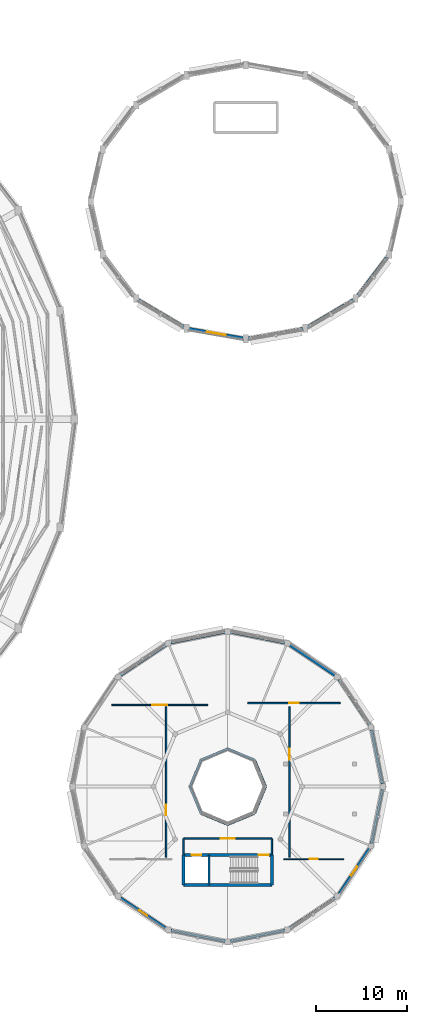
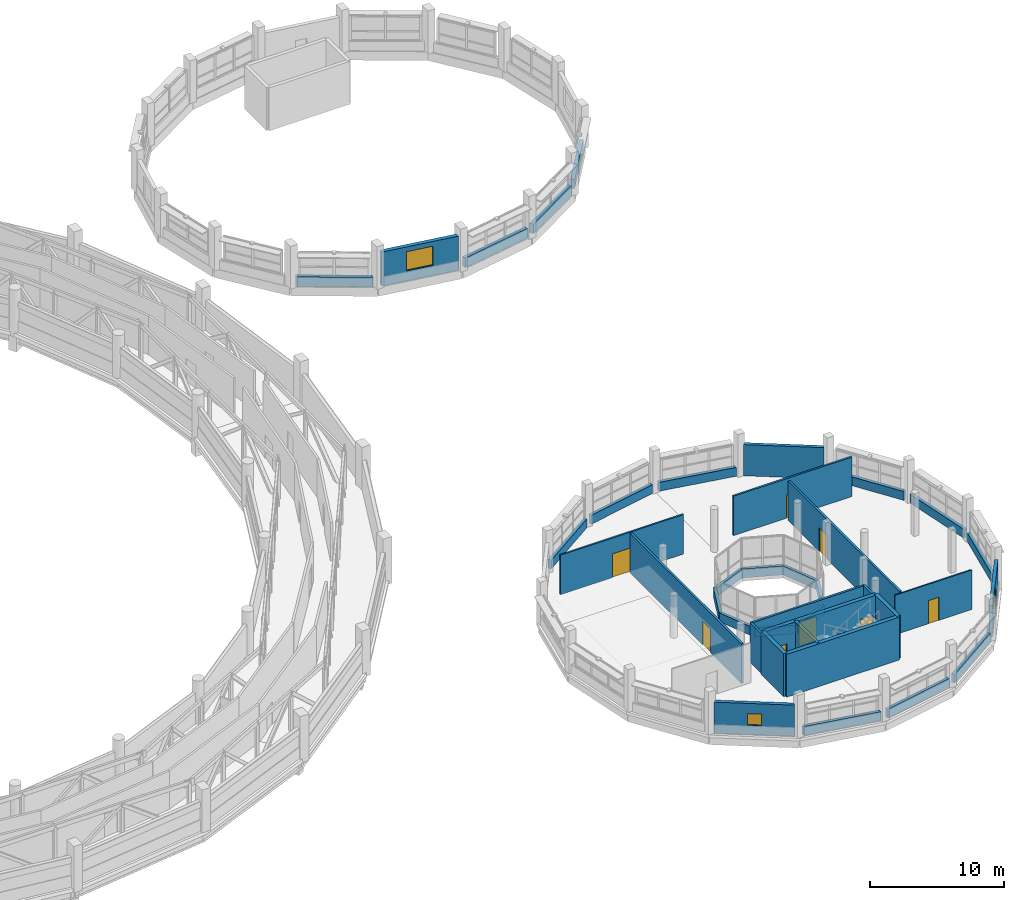
# One storey, part 106 of 121: 38 walls, 8 doors, 3 windows, 11 openings.
"""IFC4 building model written with IfcOpenShell, lengths in metres."""

from ifc_helpers import new_model, si_unit, direction, frame, frame_2d, origin, place, context, subcontext, project, spatial, rectangle, extrude, material, layer, layer_set, type_object, element, fill, save


model = new_model("IFC4")

# Units and contexts
model_context = context("Model", 3, precision=1e-05, world=origin(), true_north=direction((0.0, 1.0)))
body_context = subcontext(model_context, "Body", "Model", "MODEL_VIEW")
ifc_project = project(units=[si_unit("LENGTHUNIT", "METRE"), si_unit("AREAUNIT", "SQUARE_METRE"), si_unit("VOLUMEUNIT", "CUBIC_METRE"), si_unit("PLANEANGLEUNIT", "RADIAN"), si_unit("MASSUNIT", "GRAM", prefix="KILO")], contexts=[model_context])

# Site, building, storey
site_placement = place(None, origin())
site = spatial("IfcSite", under=ifc_project, at=site_placement, CompositionType="ELEMENT")
building_placement = place(site_placement, origin())
building = spatial("IfcBuilding", under=site, at=building_placement, Name="Vespera Passage Community Centre", CompositionType="ELEMENT")
storey_placement = place(building_placement, frame((0.0, 0.0, 8.699951171875)))
storey = spatial("IfcBuildingStorey", under=building, at=storey_placement, Name="L02", CompositionType="ELEMENT", Elevation=8.699951171875)

# Wall, openings, doors
ifc_material_1 = material(Name="Concrete f'c 45 MPa", Category="concrete")
ifc_layer_1 = layer(ifc_material_1, 0.340087890625)
ifc_layer_set_1 = layer_set([ifc_layer_1], Name="Concrete f'c 45 MPa")
wall_type_1 = type_object("IfcWallType", Name="WT-CORE-340I", PredefinedType="SHEAR", material=ifc_layer_set_1)
wall_1_placement = place(storey_placement, frame((136.135009765625, 17.469970703125, 0.0), z_axis=(0.0, 0.0, 1.0), x_axis=(1.0, 0.0, 0.0)))
wall_1 = element("IfcWall", 1, at=wall_1_placement, inside=storey, type_object=wall_type_1, Name="Core C7 L02 Shear Wall FRONT", PredefinedType="SHEAR", context=body_context, shape_type="SweptSolid", body=[
    extrude(rectangle(XDim=9.72998046875, YDim=0.340087890625, at=frame_2d((4.864990234375, 0.0))), origin(), (0.0, 0.0, 1.0), 3.900146484375),
])
opening_1_placement = place(wall_1_placement, frame((8.264892578125, 0.0, 0.0)))
opening_1 = element("IfcOpeningElement", 2, at=opening_1_placement, cuts=wall_1, Name="Opening DT-STAIR-90", PredefinedType="OPENING", context=body_context, shape_type="SweptSolid", body=[
    extrude(rectangle(XDim=1.14990234375, YDim=2.14990234375, at=frame_2d((0.574951171875, 1.074951171875))), frame((0.0, 0.179931640625, 0.0), z_axis=(0.0, -1.0, 0.0), x_axis=(1.0, 0.0, 0.0)), (0.0, 0.0, 1.0), 0.360107421875),
])
opening_2_placement = place(wall_1_placement, frame((0.8701171875, 0.0, 0.0)))
opening_2 = element("IfcOpeningElement", 3, at=opening_2_placement, cuts=wall_1, Name="Opening DT-LIFT-110", PredefinedType="OPENING", context=body_context, shape_type="SweptSolid", body=[
    extrude(rectangle(XDim=1.10009765625, YDim=2.14990234375, at=frame_2d((0.550048828125, 1.074951171875))), frame((0.0, 0.179931640625, 0.0), z_axis=(0.0, -1.0, 0.0), x_axis=(1.0, 0.0, 0.0)), (0.0, 0.0, 1.0), 0.360107421875),
])
ifc_material_2 = material(Name="Painted hollow-metal acoustic door", Category="steel")
door_type_1 = type_object("IfcDoorType", Name="DT-LIFT-110", OperationType="NOTDEFINED", PredefinedType="DOOR", material=ifc_material_2)
door_1_placement = place(opening_2_placement, origin())
door_1 = element("IfcDoor", 4, at=door_1_placement, inside=storey, type_object=door_type_1, Name="Elevator EL-05 L02 Landing Door LD-029", OperationType="SLIDING_TO_LEFT", OverallHeight=2.14990234375, OverallWidth=1.10009765625, PredefinedType="DOOR", context=body_context, shape_type="SweptSolid", body=[
    extrude(rectangle(XDim=1.10009765625, YDim=2.14990234375, at=frame_2d((0.550048828125, 1.074951171875))), frame((0.0, 0.02490234375, 0.0), z_axis=(0.0, -1.0, 0.0), x_axis=(1.0, 0.0, 0.0)), (0.0, 0.0, 1.0), 0.050048828125),
])
fill(opening_2, door_1)
ifc_material_3 = material(Name="Painted hollow-metal acoustic door", Category="steel")
door_type_2 = type_object("IfcDoorType", Name="DT-STAIR-90", OperationType="NOTDEFINED", PredefinedType="DOOR", material=ifc_material_3)
door_2_placement = place(opening_1_placement, origin())
door_2 = element("IfcDoor", 5, at=door_2_placement, inside=storey, type_object=door_type_2, Name="Core C7 L02 Exit Stair Door D-115", OperationType="SINGLE_SWING_LEFT", OverallHeight=2.14990234375, OverallWidth=1.14990234375, PredefinedType="DOOR", context=body_context, shape_type="SweptSolid", body=[
    extrude(rectangle(XDim=1.14990234375, YDim=2.14990234375, at=frame_2d((0.574951171875, 1.074951171875))), frame((0.0, 0.02490234375, 0.0), z_axis=(0.0, -1.0, 0.0), x_axis=(1.0, 0.0, 0.0)), (0.0, 0.0, 1.0), 0.050048828125),
])
fill(opening_1, door_2)

# Walls
wall_2_placement = place(storey_placement, frame((145.864990234375, 17.469970703125, 0.0), z_axis=(0.0, 0.0, 1.0), x_axis=(0.0, -1.0, 0.0)))
element("IfcWall", 6, at=wall_2_placement, inside=storey, type_object=wall_type_1, Name="Core C7 L02 Shear Wall LEFT", PredefinedType="SHEAR", context=body_context, shape_type="SweptSolid", body=[
    extrude(rectangle(XDim=3.340087890625, YDim=0.340087890625, at=frame_2d((1.669921875, 0.0))), origin(), (0.0, 0.0, 1.0), 3.900146484375),
])
wall_3_placement = place(storey_placement, frame((145.864990234375, 14.1298828125, 0.0), z_axis=(0.0, 0.0, 1.0), x_axis=(-1.0, 0.0, 0.0)))
element("IfcWall", 7, at=wall_3_placement, inside=storey, type_object=wall_type_1, Name="Core C7 L02 Shear Wall BACK", PredefinedType="SHEAR", context=body_context, shape_type="SweptSolid", body=[
    extrude(rectangle(XDim=9.72998046875, YDim=0.340087890625, at=frame_2d((4.864990234375, 0.0))), origin(), (0.0, 0.0, 1.0), 3.900146484375),
])
wall_4_placement = place(storey_placement, frame((136.135009765625, 14.1298828125, 0.0), z_axis=(0.0, 0.0, 1.0), x_axis=(0.0, 1.0, 0.0)))
element("IfcWall", 8, at=wall_4_placement, inside=storey, type_object=wall_type_1, Name="Core C7 L02 Shear Wall RIGHT", PredefinedType="SHEAR", context=body_context, shape_type="SweptSolid", body=[
    extrude(rectangle(XDim=3.340087890625, YDim=0.340087890625, at=frame_2d((1.669921875, 0.0))), origin(), (0.0, 0.0, 1.0), 3.900146484375),
])

# Wall, opening, door
ifc_material_4 = material(Name="Gypsum board acoustic stud partition")
ifc_layer_2 = layer(ifc_material_4, 0.179931640625)
ifc_layer_set_2 = layer_set([ifc_layer_2], Name="Gypsum board acoustic stud partition")
wall_type_2 = type_object("IfcWallType", Name="WT-CORR-180I", PredefinedType="PARTITIONING", material=ifc_layer_set_2)
wall_5_placement = place(storey_placement, frame((145.864990234375, 19.27001953125, 0.0), z_axis=(0.0, 0.0, 1.0), x_axis=(-1.0, 0.0, 0.0)))
wall_5 = element("IfcWall", 9, at=wall_5_placement, inside=storey, type_object=wall_type_2, Name="Core C7 L02 Lift Lobby Front Wall", PredefinedType="PARTITIONING", context=body_context, shape_type="SweptSolid", body=[
    extrude(rectangle(XDim=9.72998046875, YDim=0.179931640625, at=frame_2d((4.864990234375, 0.0))), origin(), (0.0, 0.0, 1.0), 3.594970703125),
])
opening_3_placement = place(wall_5_placement, frame((4.114990234375, 0.0, 0.0)))
opening_3 = element("IfcOpeningElement", 10, at=opening_3_placement, cuts=wall_5, Name="Opening DT-CORR-150", PredefinedType="OPENING", context=body_context, shape_type="SweptSolid", body=[
    extrude(rectangle(XDim=1.5, YDim=2.14990234375, at=frame_2d((0.75, 1.074951171875))), frame((0.0, 0.099853515625, 0.0), z_axis=(0.0, -1.0, 0.0), x_axis=(1.0, 0.0, 0.0)), (0.0, 0.0, 1.0), 0.199951171875),
])
ifc_material_5 = material(Name="Painted hollow-metal acoustic door", Category="steel")
door_type_3 = type_object("IfcDoorType", Name="DT-CORR-150", OperationType="NOTDEFINED", PredefinedType="DOOR", material=ifc_material_5)
door_3_placement = place(opening_3_placement, origin())
door_3 = element("IfcDoor", 11, at=door_3_placement, inside=storey, type_object=door_type_3, Name="Core C7 L02 Lift Lobby Door D-116", OperationType="SINGLE_SWING_RIGHT", OverallHeight=2.14990234375, OverallWidth=1.5, PredefinedType="DOOR", context=body_context, shape_type="SweptSolid", body=[
    extrude(rectangle(XDim=1.5, YDim=2.14990234375, at=frame_2d((0.75, 1.074951171875))), frame((0.0, 0.02490234375, 0.0), z_axis=(0.0, -1.0, 0.0), x_axis=(1.0, 0.0, 0.0)), (0.0, 0.0, 1.0), 0.050048828125),
])
fill(opening_3, door_3)

# Walls
for number, where, z_axis, x_axis, name in (
    (12, (145.864990234375, 17.469970703125, 0.0), (0.0, 0.0, 1.0), (0.0, 1.0, 0.0), "Core C7 L02 Lift Lobby Side Wall L"),
    (13, (136.135009765625, 17.469970703125, 0.0), (0.0, 0.0, 1.0), (0.0, 1.0, 0.0), "Core C7 L02 Lift Lobby Side Wall R"),
):
    element("IfcWall", number, at=place(storey_placement, frame(where, z_axis=z_axis, x_axis=x_axis)), inside=storey, type_object=wall_type_2, Name=name, PredefinedType="PARTITIONING", context=body_context, shape_type="SweptSolid", body=[
        extrude(rectangle(XDim=1.800048828125, YDim=0.179931640625, at=frame_2d((0.89990234375, 0.0))), origin(), (0.0, 0.0, 1.0), 3.594970703125),
    ])

# Wall, opening, door
wall_6_placement = place(storey_placement, frame((134.199951171875, 17.199951171875, 0.0), z_axis=(0.0, 0.0, 1.0), x_axis=(0.0, 1.0, 0.0)))
wall_6 = element("IfcWall", 14, at=wall_6_placement, inside=storey, type_object=wall_type_2, Name="L02 Interior Partition V3-L02-CW.1", PredefinedType="PARTITIONING", context=body_context, shape_type="SweptSolid", body=[
    extrude(rectangle(XDim=16.60009765625, YDim=0.179931640625, at=frame_2d((8.300048828125, 0.0))), origin(), (0.0, 0.0, 1.0), 3.594970703125),
])
opening_4_placement = place(wall_6_placement, frame((4.6201171875, 0.0, 0.0)))
opening_4 = element("IfcOpeningElement", 15, at=opening_4_placement, cuts=wall_6, Name="Opening DT-CORR-120", PredefinedType="OPENING", context=body_context, shape_type="SweptSolid", body=[
    extrude(rectangle(XDim=1.199951171875, YDim=2.14990234375, at=frame_2d((0.60009765625, 1.074951171875))), frame((0.0, 0.099853515625, 0.0), z_axis=(0.0, -1.0, 0.0), x_axis=(1.0, 0.0, 0.0)), (0.0, 0.0, 1.0), 0.199951171875),
])
ifc_material_6 = material(Name="Painted hollow-metal acoustic door", Category="steel")
door_type_4 = type_object("IfcDoorType", Name="DT-CORR-120", OperationType="NOTDEFINED", PredefinedType="DOOR", material=ifc_material_6)
door_4_placement = place(opening_4_placement, origin())
door_4 = element("IfcDoor", 16, at=door_4_placement, inside=storey, type_object=door_type_4, Name="L02 Interior Door D-367", OperationType="SINGLE_SWING_LEFT", OverallHeight=2.14990234375, OverallWidth=1.199951171875, PredefinedType="DOOR", context=body_context, shape_type="SweptSolid", body=[
    extrude(rectangle(XDim=1.199951171875, YDim=2.14990234375, at=frame_2d((0.60009765625, 1.074951171875))), frame((0.0, 0.02490234375, 0.0), z_axis=(0.0, -1.0, 0.0), x_axis=(1.0, 0.0, 0.0)), (0.0, 0.0, 1.0), 0.050048828125),
])
fill(opening_4, door_4)

wall_7_placement = place(storey_placement, frame((147.800048828125, 17.199951171875, 0.0), z_axis=(0.0, 0.0, 1.0), x_axis=(0.0, 1.0, 0.0)))
wall_7 = element("IfcWall", 17, at=wall_7_placement, inside=storey, type_object=wall_type_2, Name="L02 Interior Partition V3-L02-CE.1", PredefinedType="PARTITIONING", context=body_context, shape_type="SweptSolid", body=[
    extrude(rectangle(XDim=16.60009765625, YDim=0.179931640625, at=frame_2d((8.300048828125, 0.0))), origin(), (0.0, 0.0, 1.0), 3.594970703125),
])
opening_5_placement = place(wall_7_placement, frame((10.780029296875, 0.0, 0.0)))
opening_5 = element("IfcOpeningElement", 18, at=opening_5_placement, cuts=wall_7, Name="Opening DT-CORR-120", PredefinedType="OPENING", context=body_context, shape_type="SweptSolid", body=[
    extrude(rectangle(XDim=1.199951171875, YDim=2.14990234375, at=frame_2d((0.60009765625, 1.074951171875))), frame((0.0, 0.099853515625, 0.0), z_axis=(0.0, -1.0, 0.0), x_axis=(1.0, 0.0, 0.0)), (0.0, 0.0, 1.0), 0.199951171875),
])
door_5_placement = place(opening_5_placement, origin())
door_5 = element("IfcDoor", 19, at=door_5_placement, inside=storey, type_object=door_type_4, Name="L02 Interior Door D-368", OperationType="SINGLE_SWING_RIGHT", OverallHeight=2.14990234375, OverallWidth=1.199951171875, PredefinedType="DOOR", context=body_context, shape_type="SweptSolid", body=[
    extrude(rectangle(XDim=1.199951171875, YDim=2.14990234375, at=frame_2d((0.60009765625, 1.074951171875))), frame((0.0, 0.02490234375, 0.0), z_axis=(0.0, -1.0, 0.0), x_axis=(1.0, 0.0, 0.0)), (0.0, 0.0, 1.0), 0.050048828125),
])
fill(opening_5, door_5)

# Walls
ifc_material_7 = material(Name="Concrete f'c 45 MPa", Category="concrete")
ifc_layer_3 = layer(ifc_material_7, 0.239990234375)
ifc_layer_set_3 = layer_set([ifc_layer_3], Name="Concrete f'c 45 MPa")
wall_type_3 = type_object("IfcWallType", Name="WT-DIV-240I", PredefinedType="SHEAR", material=ifc_layer_set_3)
wall_8_placement = place(storey_placement, frame((138.925048828125, 17.469970703125, 0.0), z_axis=(0.0, 0.0, 1.0), x_axis=(0.0, -1.0, 0.0)))
element("IfcWall", 20, at=wall_8_placement, inside=storey, type_object=wall_type_3, Name="Core C7 L02 Hoistway Divider Wall", PredefinedType="SHEAR", context=body_context, shape_type="SweptSolid", body=[
    extrude(rectangle(XDim=3.340087890625, YDim=0.239990234375, at=frame_2d((1.669921875, 0.0))), origin(), (0.0, 0.0, 1.0), 3.900146484375),
])
ifc_material_8 = material(Name="Precast concrete f'c 40 MPa", Category="concrete")
ifc_layer_4 = layer(ifc_material_8, 0.25)
ifc_layer_set_4 = layer_set([ifc_layer_4], Name="Precast concrete f'c 40 MPa")
wall_type_4 = type_object("IfcWallType", Name="WT-EXT-250E", PredefinedType="STANDARD", material=ifc_layer_set_4)
for number, where, z_axis, x_axis, name in (
    (21, (145.179931640625, 25.0, 0.0), (0.0, 0.0, 1.0), (-0.382625877527, 0.923903370406, 0.0), "V3 L02 Inner Court Spandrel 1"),
    (22, (143.955810546875, 27.955810546875, 0.0), (0.0, 0.0, 1.0), (-0.923903370406, 0.382625877527, 0.0), "V3 L02 Inner Court Spandrel 2"),
    (23, (141.0, 29.179931640625, 0.0), (0.0, 0.0, 1.0), (-0.923903370406, -0.382625877527, 0.0), "V3 L02 Inner Court Spandrel 3"),
    (24, (138.044189453125, 27.955810546875, 0.0), (0.0, 0.0, 1.0), (-0.382625877527, -0.923903370406, 0.0), "V3 L02 Inner Court Spandrel 4"),
    (25, (136.820068359375, 25.0, 0.0), (0.0, 0.0, 1.0), (0.382625877527, -0.923903370406, 0.0), "V3 L02 Inner Court Spandrel 5"),
    (26, (138.044189453125, 22.044189453125, 0.0), (0.0, 0.0, 1.0), (0.923903370406, -0.382625877527, 0.0), "V3 L02 Inner Court Spandrel 6"),
    (27, (141.0, 20.820068359375, 0.0), (0.0, 0.0, 1.0), (0.923903370406, 0.382625877527, 0.0), "V3 L02 Inner Court Spandrel 7"),
    (28, (143.955810546875, 22.044189453125, 0.0), (0.0, 0.0, 1.0), (0.382625877527, 0.923903370406, 0.0), "V3 L02 Inner Court Spandrel 8"),
):
    element("IfcWall", number, at=place(storey_placement, frame(where, z_axis=z_axis, x_axis=x_axis)), inside=storey, type_object=wall_type_4, Name=name, PredefinedType="STANDARD", context=body_context, shape_type="SweptSolid", body=[
        extrude(rectangle(XDim=3.19921875, YDim=0.25, at=frame_2d((1.599609375, 0.0))), origin(), (0.0, 0.0, 1.0), 0.800048828125),
    ])
ifc_material_9 = material(Name="Precast concrete f'c 40 MPa", Category="concrete")
ifc_layer_5 = layer(ifc_material_9, 0.280029296875)
ifc_layer_set_5 = layer_set([ifc_layer_5], Name="Precast concrete f'c 40 MPa")
wall_type_5 = type_object("IfcWallType", Name="WT-EXT-280E", PredefinedType="STANDARD", material=ifc_layer_set_5)
wall_9_placement = place(storey_placement, frame((156.85302734375, 31.268310546875, 0.0), z_axis=(0.0, 0.0, 1.0), x_axis=(0.195101780047, -0.98078300119, 0.0)))
element("IfcWall", 29, at=wall_9_placement, inside=storey, type_object=wall_type_5, Name="V3 L02 Spandrel 1", PredefinedType="STANDARD", context=body_context, shape_type="SweptSolid", body=[
    extrude(rectangle(XDim=6.1103515625, YDim=0.280029296875, at=frame_2d((3.05517578125, 0.0))), origin(), (0.0, 0.0, 1.0), 0.800048828125),
])
wall_10_placement = place(storey_placement, frame((153.278076171875, 36.812255859375, 0.0), z_axis=(0.0, 0.0, 1.0), x_axis=(0.555573083966, -0.831467707354, 0.0)))
element("IfcWall", 30, at=wall_10_placement, inside=storey, type_object=wall_type_5, Name="V3 L02 Spandrel 2", PredefinedType="STANDARD", context=body_context, shape_type="SweptSolid", body=[
    extrude(rectangle(XDim=6.00048828125, YDim=0.280029296875, at=frame_2d((3.000244140625, 0.0))), origin(), (0.0, 0.0, 1.0), 0.800048828125),
])
wall_11_placement = place(storey_placement, frame((147.822998046875, 40.61181640625, 0.0), z_axis=(0.0, 0.0, 1.0), x_axis=(0.831467707354, -0.555573083966, 0.0)))
element("IfcWall", 31, at=wall_11_placement, inside=storey, type_object=wall_type_5, Name="V3 L02 Facade Wall 3", PredefinedType="STANDARD", context=body_context, shape_type="SweptSolid", body=[
    extrude(rectangle(XDim=6.00048828125, YDim=0.280029296875, at=frame_2d((3.000244140625, 0.0))), origin(), (0.0, 0.0, 1.0), 2.8349609375),
])
for number, where, z_axis, x_axis, name in (
    (32, (141.275390625, 42.045166015625, 0.0), (0.0, 0.0, 1.0), (0.98078300119, -0.195101780047, 0.0), "V3 L02 Spandrel 4"),
    (33, (134.731689453125, 40.85302734375, 0.0), (0.0, 0.0, 1.0), (0.98078300119, 0.195101780047, 0.0), "V3 L02 Spandrel 5"),
):
    element("IfcWall", number, at=place(storey_placement, frame(where, z_axis=z_axis, x_axis=x_axis)), inside=storey, type_object=wall_type_5, Name=name, PredefinedType="STANDARD", context=body_context, shape_type="SweptSolid", body=[
        extrude(rectangle(XDim=6.1103515625, YDim=0.280029296875, at=frame_2d((3.05517578125, 0.0))), origin(), (0.0, 0.0, 1.0), 0.800048828125),
    ])
wall_12_placement = place(storey_placement, frame((129.187744140625, 37.278076171875, 0.0), z_axis=(0.0, 0.0, 1.0), x_axis=(0.831467707354, 0.555573083966, 0.0)))
element("IfcWall", 34, at=wall_12_placement, inside=storey, type_object=wall_type_5, Name="V3 L02 Spandrel 6", PredefinedType="STANDARD", context=body_context, shape_type="SweptSolid", body=[
    extrude(rectangle(XDim=6.00048828125, YDim=0.280029296875, at=frame_2d((3.000244140625, 0.0))), origin(), (0.0, 0.0, 1.0), 0.800048828125),
])

# Wall, opening, window
wall_13_placement = place(storey_placement, frame((134.177001953125, 9.38818359375, 0.0), z_axis=(0.0, 0.0, 1.0), x_axis=(-0.831467707354, 0.555573083966, 0.0)))
wall_13 = element("IfcWall", 35, at=wall_13_placement, inside=storey, type_object=wall_type_5, Name="V3 L02 Facade Wall 11", PredefinedType="STANDARD", context=body_context, shape_type="SweptSolid", body=[
    extrude(rectangle(XDim=6.00048828125, YDim=0.280029296875, at=frame_2d((3.000244140625, 0.0))), origin(), (0.0, 0.0, 1.0), 2.8349609375),
])
opening_6_placement = place(wall_13_placement, frame((2.47509765625, 0.0, 0.85009765625)))
opening_6 = element("IfcOpeningElement", 36, at=opening_6_placement, cuts=wall_13, Name="Opening WN-02E", PredefinedType="OPENING", context=body_context, shape_type="SweptSolid", body=[
    extrude(rectangle(XDim=1.050048828125, YDim=1.050048828125, at=frame_2d((0.52490234375, 0.52490234375))), frame((0.0, 0.150146484375, 0.0), z_axis=(0.0, -1.0, 0.0), x_axis=(1.0, 0.0, 0.0)), (0.0, 0.0, 1.0), 0.300048828125),
])
ifc_material_10 = material(Name="Low-E insulated vision glass", Category="glass")
window_type_1 = type_object("IfcWindowType", Name="WN-02E", PartitioningType="SINGLE_PANEL", PredefinedType="WINDOW", material=ifc_material_10)
window_1_placement = place(opening_6_placement, origin())
window_1 = element("IfcWindow", 37, at=window_1_placement, inside=storey, type_object=window_type_1, Name="Window WN-V3-L02-P11", OverallHeight=1.050048828125, OverallWidth=1.050048828125, PartitioningType="SINGLE_PANEL", PredefinedType="WINDOW", context=body_context, shape_type="SweptSolid", body=[
    extrude(rectangle(XDim=1.050048828125, YDim=1.050048828125, at=frame_2d((0.52490234375, 0.52490234375))), frame((0.0, 0.030029296875, 0.0), z_axis=(0.0, -1.0, 0.0), x_axis=(1.0, 0.0, 0.0)), (0.0, 0.0, 1.0), 0.06005859375),
])
fill(opening_6, window_1)

# Walls
for number, where, z_axis, x_axis, name in (
    (38, (140.724609375, 7.954833984375, 0.0), (0.0, 0.0, 1.0), (-0.98078300119, 0.195101780047, 0.0), "V3 L02 Spandrel 12"),
    (39, (147.268310546875, 9.14697265625, 0.0), (0.0, 0.0, 1.0), (-0.98078300119, -0.195101780047, 0.0), "V3 L02 Spandrel 13"),
):
    element("IfcWall", number, at=place(storey_placement, frame(where, z_axis=z_axis, x_axis=x_axis)), inside=storey, type_object=wall_type_5, Name=name, PredefinedType="STANDARD", context=body_context, shape_type="SweptSolid", body=[
        extrude(rectangle(XDim=6.1103515625, YDim=0.280029296875, at=frame_2d((3.05517578125, 0.0))), origin(), (0.0, 0.0, 1.0), 0.800048828125),
    ])
wall_14_placement = place(storey_placement, frame((152.812255859375, 12.721923828125, 0.0), z_axis=(0.0, 0.0, 1.0), x_axis=(-0.831467707354, -0.555573083966, 0.0)))
element("IfcWall", 40, at=wall_14_placement, inside=storey, type_object=wall_type_5, Name="V3 L02 Spandrel 14", PredefinedType="STANDARD", context=body_context, shape_type="SweptSolid", body=[
    extrude(rectangle(XDim=6.00048828125, YDim=0.280029296875, at=frame_2d((3.000244140625, 0.0))), origin(), (0.0, 0.0, 1.0), 0.800048828125),
])

# Wall, opening, window
wall_15_placement = place(storey_placement, frame((156.61181640625, 18.177001953125, 0.0), z_axis=(0.0, 0.0, 1.0), x_axis=(-0.555573083966, -0.831467707354, 0.0)))
wall_15 = element("IfcWall", 41, at=wall_15_placement, inside=storey, type_object=wall_type_5, Name="V3 L02 Facade Wall 15", PredefinedType="STANDARD", context=body_context, shape_type="SweptSolid", body=[
    extrude(rectangle(XDim=6.00048828125, YDim=0.280029296875, at=frame_2d((3.000244140625, 0.0))), origin(), (0.0, 0.0, 1.0), 2.8349609375),
])
opening_7_placement = place(wall_15_placement, frame((2.400146484375, 0.0, 0.85009765625)))
opening_7 = element("IfcOpeningElement", 42, at=opening_7_placement, cuts=wall_15, Name="Opening WN-03E", PredefinedType="OPENING", context=body_context, shape_type="SweptSolid", body=[
    extrude(rectangle(XDim=1.199951171875, YDim=1.199951171875, at=frame_2d((0.60009765625, 0.60009765625))), frame((0.0, 0.150146484375, 0.0), z_axis=(0.0, -1.0, 0.0), x_axis=(1.0, 0.0, 0.0)), (0.0, 0.0, 1.0), 0.300048828125),
])
ifc_material_11 = material(Name="Low-E insulated vision glass", Category="glass")
window_type_2 = type_object("IfcWindowType", Name="WN-03E", PartitioningType="SINGLE_PANEL", PredefinedType="WINDOW", material=ifc_material_11)
window_2_placement = place(opening_7_placement, origin())
window_2 = element("IfcWindow", 43, at=window_2_placement, inside=storey, type_object=window_type_2, Name="Window WN-V3-L02-P15", OverallHeight=1.199951171875, OverallWidth=1.199951171875, PartitioningType="SINGLE_PANEL", PredefinedType="WINDOW", context=body_context, shape_type="SweptSolid", body=[
    extrude(rectangle(XDim=1.199951171875, YDim=1.199951171875, at=frame_2d((0.60009765625, 0.60009765625))), frame((0.0, 0.030029296875, 0.0), z_axis=(0.0, -1.0, 0.0), x_axis=(1.0, 0.0, 0.0)), (0.0, 0.0, 1.0), 0.06005859375),
])
fill(opening_7, window_2)

# Walls
wall_16_placement = place(storey_placement, frame((158.045166015625, 24.724609375, 0.0), z_axis=(0.0, 0.0, 1.0), x_axis=(-0.195101780047, -0.98078300119, 0.0)))
element("IfcWall", 44, at=wall_16_placement, inside=storey, type_object=wall_type_5, Name="V3 L02 Spandrel 16", PredefinedType="STANDARD", context=body_context, shape_type="SweptSolid", body=[
    extrude(rectangle(XDim=6.1103515625, YDim=0.280029296875, at=frame_2d((3.05517578125, 0.0))), origin(), (0.0, 0.0, 1.0), 0.800048828125),
])
ifc_material_12 = material(Name="Precast concrete f'c 40 MPa", Category="concrete")
ifc_layer_6 = layer(ifc_material_12, 0.320068359375)
ifc_layer_set_6 = layer_set([ifc_layer_6], Name="Precast concrete f'c 40 MPa")
wall_type_6 = type_object("IfcWallType", Name="WT-EXT-320E", PredefinedType="STANDARD", material=ifc_layer_set_6)
wall_17_placement = place(storey_placement, frame((136.177490234375, 75.713623046875, 0.0), z_axis=(0.0, 0.0, 1.0), x_axis=(-0.861235880181, 0.508205429614, 0.0)))
element("IfcWall", 45, at=wall_17_placement, inside=storey, type_object=wall_type_6, Name="V2 L02 Spandrel 11", PredefinedType="STANDARD", context=body_context, shape_type="SweptSolid", body=[
    extrude(rectangle(XDim=5.79443359375, YDim=0.320068359375, at=frame_2d((2.897216796875, 0.0))), origin(), (0.0, 0.0, 1.0), 0.85009765625),
])

# Wall, opening, window
wall_18_placement = place(storey_placement, frame((142.724609375, 74.448486328125, 0.0), z_axis=(0.0, 0.0, 1.0), x_axis=(-0.984927418504, 0.172968148166, 0.0)))
wall_18 = element("IfcWall", 46, at=wall_18_placement, inside=storey, type_object=wall_type_6, Name="V2 L02 Facade Wall 12", PredefinedType="STANDARD", context=body_context, shape_type="SweptSolid", body=[
    extrude(rectangle(XDim=6.0849609375, YDim=0.320068359375, at=frame_2d((3.04248046875, 0.0))), origin(), (0.0, 0.0, 1.0), 3.0849609375),
])
opening_8_placement = place(wall_18_placement, frame((1.992431640625, 0.0, 0.89990234375)))
opening_8 = element("IfcOpeningElement", 47, at=opening_8_placement, cuts=wall_18, Name="Opening WN-22E", PredefinedType="OPENING", context=body_context, shape_type="SweptSolid", body=[
    extrude(rectangle(XDim=2.10009765625, YDim=1.75, at=frame_2d((1.050048828125, 0.875))), frame((0.0, 0.170166015625, 0.0), z_axis=(0.0, -1.0, 0.0), x_axis=(1.0, 0.0, 0.0)), (0.0, 0.0, 1.0), 0.340087890625),
])
ifc_material_13 = material(Name="Low-E insulated vision glass", Category="glass")
window_type_3 = type_object("IfcWindowType", Name="WN-22E", PartitioningType="SINGLE_PANEL", PredefinedType="WINDOW", material=ifc_material_13)
window_3_placement = place(opening_8_placement, origin())
window_3 = element("IfcWindow", 48, at=window_3_placement, inside=storey, type_object=window_type_3, Name="Window WN-V2-L02-P12", OverallHeight=1.75, OverallWidth=2.10009765625, PartitioningType="SINGLE_PANEL", PredefinedType="WINDOW", context=body_context, shape_type="SweptSolid", body=[
    extrude(rectangle(XDim=2.10009765625, YDim=1.75, at=frame_2d((1.050048828125, 0.875))), frame((0.0, 0.030029296875, 0.0), z_axis=(0.0, -1.0, 0.0), x_axis=(1.0, 0.0, 0.0)), (0.0, 0.0, 1.0), 0.06005859375),
])
fill(opening_8, window_3)

# Walls
wall_19_placement = place(storey_placement, frame((149.2685546875, 75.5009765625, 0.0), z_axis=(0.0, 0.0, 1.0), x_axis=(-0.984927418504, -0.172968148166, 0.0)))
element("IfcWall", 49, at=wall_19_placement, inside=storey, type_object=wall_type_6, Name="V2 L02 Spandrel 13", PredefinedType="STANDARD", context=body_context, shape_type="SweptSolid", body=[
    extrude(rectangle(XDim=6.0849609375, YDim=0.320068359375, at=frame_2d((3.04248046875, 0.0))), origin(), (0.0, 0.0, 1.0), 0.85009765625),
])
wall_20_placement = place(storey_placement, frame((154.81298828125, 78.658447265625, 0.0), z_axis=(0.0, 0.0, 1.0), x_axis=(-0.861235880181, -0.508205429614, 0.0)))
element("IfcWall", 50, at=wall_20_placement, inside=storey, type_object=wall_type_6, Name="V2 L02 Spandrel 14", PredefinedType="STANDARD", context=body_context, shape_type="SweptSolid", body=[
    extrude(rectangle(XDim=5.79443359375, YDim=0.320068359375, at=frame_2d((2.897216796875, 0.0))), origin(), (0.0, 0.0, 1.0), 0.85009765625),
])
wall_21_placement = place(storey_placement, frame((158.513427734375, 83.344970703125, 0.0), z_axis=(0.0, 0.0, 1.0), x_axis=(-0.603398282319, -0.797439974477, 0.0)))
element("IfcWall", 51, at=wall_21_placement, inside=storey, type_object=wall_type_6, Name="V2 L02 Spandrel 15", PredefinedType="STANDARD", context=body_context, shape_type="SweptSolid", body=[
    extrude(rectangle(XDim=5.19873046875, YDim=0.320068359375, at=frame_2d((2.599365234375, 0.0))), origin(), (0.0, 0.0, 1.0), 0.85009765625),
])

# Wall, opening, door
ifc_material_14 = material(Name="Gypsum board acoustic stud partition")
ifc_layer_7 = layer(ifc_material_14, 0.139892578125)
ifc_layer_set_7 = layer_set([ifc_layer_7], Name="Gypsum board acoustic stud partition")
wall_type_7 = type_object("IfcWallType", Name="WT-ROOM-140I", PredefinedType="PARTITIONING", material=ifc_layer_set_7)
wall_22_placement = place(storey_placement, frame((128.199951171875, 34.0, 0.0), z_axis=(0.0, 0.0, 1.0), x_axis=(1.0, 0.0, 0.0)))
wall_22 = element("IfcWall", 52, at=wall_22_placement, inside=storey, type_object=wall_type_7, Name="L02 Interior Partition V3-L02-DIVW.1", PredefinedType="PARTITIONING", context=body_context, shape_type="SweptSolid", body=[
    extrude(rectangle(XDim=10.60009765625, YDim=0.139892578125, at=frame_2d((5.300048828125, 0.0))), origin(), (0.0, 0.0, 1.0), 3.594970703125),
])
opening_9_placement = place(wall_22_placement, frame((4.47509765625, 0.0, 0.0)))
opening_9 = element("IfcOpeningElement", 53, at=opening_9_placement, cuts=wall_22, Name="Opening DT-INT-165", PredefinedType="OPENING", context=body_context, shape_type="SweptSolid", body=[
    extrude(rectangle(XDim=1.64990234375, YDim=2.14990234375, at=frame_2d((0.824951171875, 1.074951171875))), frame((0.0, 0.079833984375, 0.0), z_axis=(0.0, -1.0, 0.0), x_axis=(1.0, 0.0, 0.0)), (0.0, 0.0, 1.0), 0.159912109375),
])
ifc_material_15 = material(Name="Solid-core maple veneer door", Category="wood")
door_type_5 = type_object("IfcDoorType", Name="DT-INT-165", OperationType="NOTDEFINED", PredefinedType="DOOR", material=ifc_material_15)
door_6_placement = place(opening_9_placement, origin())
door_6 = element("IfcDoor", 54, at=door_6_placement, inside=storey, type_object=door_type_5, Name="L02 Interior Door D-369", OperationType="SINGLE_SWING_LEFT", OverallHeight=2.14990234375, OverallWidth=1.64990234375, PredefinedType="DOOR", context=body_context, shape_type="SweptSolid", body=[
    extrude(rectangle(XDim=1.64990234375, YDim=2.14990234375, at=frame_2d((0.824951171875, 1.074951171875))), frame((0.0, 0.02490234375, 0.0), z_axis=(0.0, -1.0, 0.0), x_axis=(1.0, 0.0, 0.0)), (0.0, 0.0, 1.0), 0.050048828125),
])
fill(opening_9, door_6)

ifc_material_16 = material(Name="Gypsum board acoustic stud partition")
ifc_layer_8 = layer(ifc_material_16, 0.159912109375)
ifc_layer_set_8 = layer_set([ifc_layer_8], Name="Gypsum board acoustic stud partition")
wall_type_8 = type_object("IfcWallType", Name="WT-STC-160I", PredefinedType="PARTITIONING", material=ifc_layer_set_8)
wall_23_placement = place(storey_placement, frame((143.199951171875, 34.199951171875, 0.0), z_axis=(0.0, 0.0, 1.0), x_axis=(1.0, 0.0, 0.0)))
wall_23 = element("IfcWall", 55, at=wall_23_placement, inside=storey, type_object=wall_type_8, Name="L02 Interior Partition V3-L02-DIVE.1", PredefinedType="PARTITIONING", context=body_context, shape_type="SweptSolid", body=[
    extrude(rectangle(XDim=10.199951171875, YDim=0.159912109375, at=frame_2d((5.10009765625, 0.0))), origin(), (0.0, 0.0, 1.0), 3.594970703125),
])
opening_10_placement = place(wall_23_placement, frame((4.574951171875, 0.0, 0.0)))
opening_10 = element("IfcOpeningElement", 56, at=opening_10_placement, cuts=wall_23, Name="Opening DT-CORR-105", PredefinedType="OPENING", context=body_context, shape_type="SweptSolid", body=[
    extrude(rectangle(XDim=1.050048828125, YDim=2.10009765625, at=frame_2d((0.52490234375, 1.050048828125))), frame((0.0, 0.090087890625, 0.0), z_axis=(0.0, -1.0, 0.0), x_axis=(1.0, 0.0, 0.0)), (0.0, 0.0, 1.0), 0.179931640625),
])
ifc_material_17 = material(Name="Painted hollow-metal acoustic door", Category="steel")
door_type_6 = type_object("IfcDoorType", Name="DT-CORR-105", OperationType="NOTDEFINED", PredefinedType="DOOR", material=ifc_material_17)
door_7_placement = place(opening_10_placement, origin())
door_7 = element("IfcDoor", 57, at=door_7_placement, inside=storey, type_object=door_type_6, Name="L02 Interior Door D-370", OperationType="SINGLE_SWING_RIGHT", OverallHeight=2.10009765625, OverallWidth=1.050048828125, PredefinedType="DOOR", context=body_context, shape_type="SweptSolid", body=[
    extrude(rectangle(XDim=1.050048828125, YDim=2.10009765625, at=frame_2d((0.52490234375, 1.050048828125))), frame((0.0, 0.02490234375, 0.0), z_axis=(0.0, -1.0, 0.0), x_axis=(1.0, 0.0, 0.0)), (0.0, 0.0, 1.0), 0.050048828125),
])
fill(opening_10, door_7)

ifc_material_18 = material(Name="Moisture-resistant gypsum stud partition")
ifc_layer_9 = layer(ifc_material_18, 0.1201171875)
ifc_layer_set_9 = layer_set([ifc_layer_9], Name="Moisture-resistant gypsum stud partition")
wall_type_9 = type_object("IfcWallType", Name="WT-WET-120I", PredefinedType="PARTITIONING", material=ifc_layer_set_9)
wall_24_placement = place(storey_placement, frame((147.199951171875, 17.0, 0.0), z_axis=(0.0, 0.0, 1.0), x_axis=(1.0, 0.0, 0.0)))
wall_24 = element("IfcWall", 58, at=wall_24_placement, inside=storey, type_object=wall_type_9, Name="L02 Interior Partition V3-L02-WCSE.1", PredefinedType="PARTITIONING", context=body_context, shape_type="SweptSolid", body=[
    extrude(rectangle(XDim=6.60009765625, YDim=0.1201171875, at=frame_2d((3.300048828125, 0.0))), origin(), (0.0, 0.0, 1.0), 3.594970703125),
])
opening_11_placement = place(wall_24_placement, frame((2.85009765625, 0.0, 0.0)))
opening_11 = element("IfcOpeningElement", 59, at=opening_11_placement, cuts=wall_24, Name="Opening DT-INT-90", PredefinedType="OPENING", context=body_context, shape_type="SweptSolid", body=[
    extrude(rectangle(XDim=0.89990234375, YDim=2.10009765625, at=frame_2d((0.449951171875, 1.050048828125))), frame((0.0, 0.070068359375, 0.0), z_axis=(0.0, -1.0, 0.0), x_axis=(1.0, 0.0, 0.0)), (0.0, 0.0, 1.0), 0.14013671875),
])
ifc_material_19 = material(Name="Solid-core maple veneer door", Category="wood")
door_type_7 = type_object("IfcDoorType", Name="DT-INT-90", OperationType="NOTDEFINED", PredefinedType="DOOR", material=ifc_material_19)
door_8_placement = place(opening_11_placement, origin())
door_8 = element("IfcDoor", 60, at=door_8_placement, inside=storey, type_object=door_type_7, Name="L02 Interior Door D-372", OperationType="SINGLE_SWING_RIGHT", OverallHeight=2.10009765625, OverallWidth=0.89990234375, PredefinedType="DOOR", context=body_context, shape_type="SweptSolid", body=[
    extrude(rectangle(XDim=0.89990234375, YDim=2.10009765625, at=frame_2d((0.449951171875, 1.050048828125))), frame((0.0, 0.02490234375, 0.0), z_axis=(0.0, -1.0, 0.0), x_axis=(1.0, 0.0, 0.0)), (0.0, 0.0, 1.0), 0.050048828125),
])
fill(opening_11, door_8)

save(model, "model.ifc")
